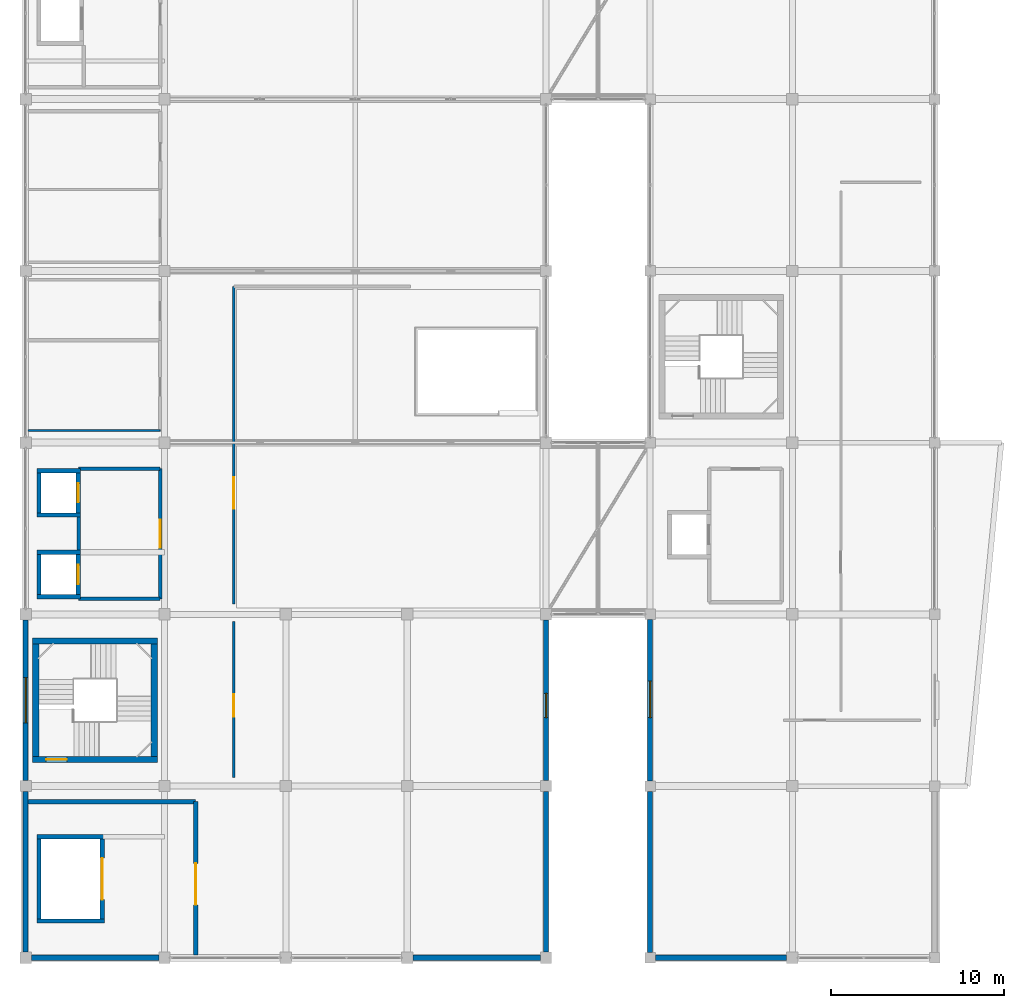
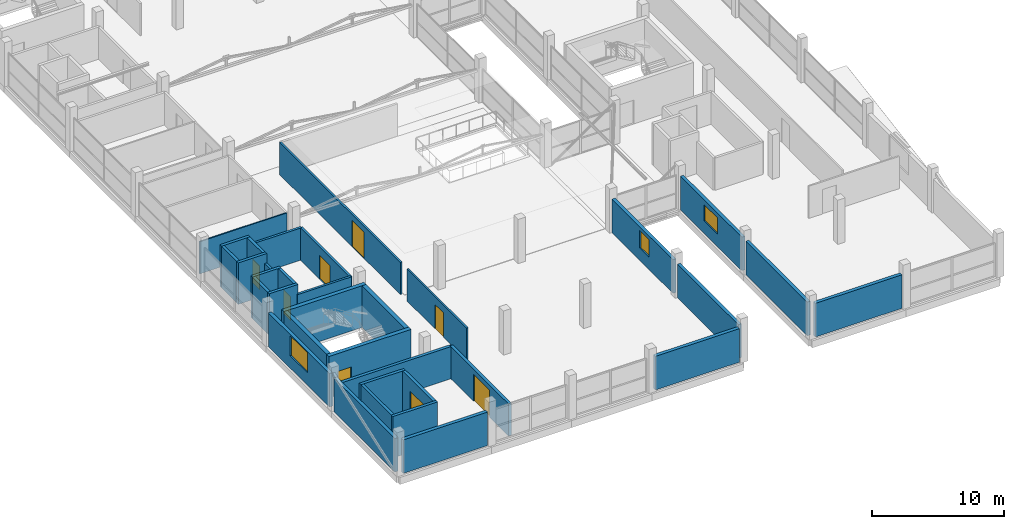
# One storey, part 56 of 66: 34 walls, 8 doors, 3 windows, 11 openings.
"""IFC4 building model written with IfcOpenShell, lengths in metres."""

from ifc_helpers import new_model, si_unit, direction, frame, frame_2d, origin, place, context, subcontext, project, spatial, rectangle, extrude, material, layer, layer_set, type_object, element, fill, save


model = new_model("IFC4")

# Units and contexts
model_context = context("Model", 3, precision=1e-05, world=origin(), true_north=direction((0.0, 1.0)))
body_context = subcontext(model_context, "Body", "Model", "MODEL_VIEW")
ifc_project = project(units=[si_unit("LENGTHUNIT", "METRE"), si_unit("AREAUNIT", "SQUARE_METRE"), si_unit("VOLUMEUNIT", "CUBIC_METRE"), si_unit("PLANEANGLEUNIT", "RADIAN"), si_unit("MASSUNIT", "GRAM", prefix="KILO")], contexts=[model_context])

# Site, building, storey
site_placement = place(None, origin())
site = spatial("IfcSite", under=ifc_project, at=site_placement, CompositionType="ELEMENT")
building_placement = place(site_placement, origin())
building = spatial("IfcBuilding", under=site, at=building_placement, Name="Sillaruma Civic Art Gallery", CompositionType="ELEMENT")
storey_placement = place(building_placement, frame((0.0, 0.0, 62.219970703125)))
storey = spatial("IfcBuildingStorey", under=building, at=storey_placement, Name="L12", CompositionType="ELEMENT", Elevation=62.219970703125)

# Wall, opening, door
ifc_material_1 = material(Name="Concrete H40 (40 MPa)", Category="concrete")
ifc_layer_1 = layer(ifc_material_1, 0.35009765625, Name="Concrete H40 (40 MPa)")
ifc_layer_set_1 = layer_set([ifc_layer_1], Name="Concrete H40 (40 MPa)")
wall_type_1 = type_object("IfcWallType", Name="WAL-CORE-350", PredefinedType="SHEAR", material=ifc_layer_set_1)
wall_1_placement = place(storey_placement, frame((62.409912109375, 31.235107421875, 0.0), z_axis=(0.0, 0.0, 1.0), x_axis=(1.0, 0.0, 0.0)))
wall_1 = element("IfcWall", 1, at=wall_1_placement, inside=storey, type_object=wall_type_1, Name="Stair Core Shear Wall W-CORE-350 (ST-03:L12:S)", PredefinedType="SHEAR", context=body_context, shape_type="SweptSolid", body=[
    extrude(rectangle(XDim=7.18017578125, YDim=0.35009765625, at=frame_2d((3.590087890625, 0.0))), origin(), (0.0, 0.0, 1.0), 3.85009765625),
])
opening_1_placement = place(wall_1_placement, frame((0.77001953125, 0.0, 0.0)))
opening_1 = element("IfcOpeningElement", 2, at=opening_1_placement, cuts=wall_1, Name="Opening D-STAIR", PredefinedType="OPENING", context=body_context, shape_type="SweptSolid", body=[
    extrude(rectangle(XDim=1.199951171875, YDim=2.199951171875, at=frame_2d((0.60009765625, 1.10009765625))), frame((0.0, 0.18505859375, 0.0), z_axis=(0.0, -1.0, 0.0), x_axis=(1.0, 0.0, 0.0)), (0.0, 0.0, 1.0), 0.3701171875),
])
ifc_material_2 = material(Name="Galvanised Steel ASTM A653 Gr.50", Category="steel")
door_type_1 = type_object("IfcDoorType", Name="DOR-STAIR-120", OperationType="NOTDEFINED", PredefinedType="DOOR", material=ifc_material_2)
door_1_placement = place(opening_1_placement, origin())
door_1 = element("IfcDoor", 3, at=door_1_placement, inside=storey, type_object=door_type_1, Name="Protected Stair Fire Door (ST-03:L12)", OperationType="SINGLE_SWING_RIGHT", OverallHeight=2.199951171875, OverallWidth=1.199951171875, PredefinedType="DOOR", context=body_context, shape_type="SweptSolid", body=[
    extrude(rectangle(XDim=1.199951171875, YDim=2.199951171875, at=frame_2d((0.60009765625, 1.10009765625))), frame((0.0, 0.02490234375, 0.0), z_axis=(0.0, -1.0, 0.0), x_axis=(1.0, 0.0, 0.0)), (0.0, 0.0, 1.0), 0.050048828125),
])
fill(opening_1, door_1)

# Walls
wall_2_placement = place(storey_placement, frame((62.409912109375, 38.06494140625, 0.0), z_axis=(0.0, 0.0, 1.0), x_axis=(1.0, 0.0, 0.0)))
element("IfcWall", 4, at=wall_2_placement, inside=storey, type_object=wall_type_1, Name="Stair Core Shear Wall W-CORE-350 (ST-03:L12:N)", PredefinedType="SHEAR", context=body_context, shape_type="SweptSolid", body=[
    extrude(rectangle(XDim=7.18017578125, YDim=0.35009765625, at=frame_2d((3.590087890625, 0.0))), origin(), (0.0, 0.0, 1.0), 3.85009765625),
])
for number, where, z_axis, x_axis, name in (
    (5, (62.5849609375, 31.409912109375, 0.0), (0.0, 0.0, 1.0), (0.0, 1.0, 0.0), "Stair Core Shear Wall W-CORE-350 (ST-03:L12:W)"),
    (6, (69.4150390625, 31.409912109375, 0.0), (0.0, 0.0, 1.0), (0.0, 1.0, 0.0), "Stair Core Shear Wall W-CORE-350 (ST-03:L12:E)"),
):
    element("IfcWall", number, at=place(storey_placement, frame(where, z_axis=z_axis, x_axis=x_axis)), inside=storey, type_object=wall_type_1, Name=name, PredefinedType="SHEAR", context=body_context, shape_type="SweptSolid", body=[
        extrude(rectangle(XDim=6.47998046875, YDim=0.35009765625, at=frame_2d((3.239990234375, 0.0))), origin(), (0.0, 0.0, 1.0), 3.85009765625),
    ])
ifc_material_3 = material(Name="Concrete H35 (35 MPa)", Category="concrete")
ifc_layer_2 = layer(ifc_material_3, 0.159912109375, Name="Concrete backup", Category="concrete")
ifc_material_4 = material(Name="Mineral Wool Thermal Insulation", Category="insulation")
ifc_layer_3 = layer(ifc_material_4, 0.090087890625, Name="Thermal insulation", Category="insulation")
ifc_material_5 = material(Name="Anodised Zinc-Aluminium Alloy", Category="aluminium")
ifc_layer_4 = layer(ifc_material_5, 0.030029296875, Name="Rainscreen finish", Category="aluminium")
ifc_layer_set_2 = layer_set([ifc_layer_2, ifc_layer_3, ifc_layer_4], Name="W-EXT-280")
wall_type_2 = type_object("IfcWallType", Name="WAL-EXT-280", PredefinedType="SOLIDWALL", material=ifc_layer_set_2)
wall_3_placement = place(storey_placement, frame((92.0, 20.125, 0.0), z_axis=(0.0, 0.0, 1.0), x_axis=(0.0, 1.0, 0.0)))
element("IfcWall", 7, at=wall_3_placement, inside=storey, type_object=wall_type_2, Name="Exterior Wall W-EXT-280 (EW-L12-WBE-1)", PredefinedType="SOLIDWALL", context=body_context, shape_type="SweptSolid", body=[
    extrude(rectangle(XDim=9.25, YDim=0.280029296875, at=frame_2d((4.625, 0.0))), origin(), (0.0, 0.0, 1.0), 3.10009765625),
])

# Wall, opening, window
wall_4_placement = place(storey_placement, frame((92.0, 30.02490234375, 0.0), z_axis=(0.0, 0.0, 1.0), x_axis=(0.0, 1.0, 0.0)))
wall_4 = element("IfcWall", 8, at=wall_4_placement, inside=storey, type_object=wall_type_2, Name="Exterior Wall W-EXT-280 (EW-L12-WBE-2)", PredefinedType="SOLIDWALL", context=body_context, shape_type="SweptSolid", body=[
    extrude(rectangle(XDim=9.25, YDim=0.280029296875, at=frame_2d((4.625, 0.0))), origin(), (0.0, 0.0, 1.0), 3.10009765625),
])
opening_2_placement = place(wall_4_placement, frame((3.625, 0.0, 1.14990234375)))
opening_2 = element("IfcOpeningElement", 9, at=opening_2_placement, cuts=wall_4, Name="Opening WN-06", PredefinedType="OPENING", context=body_context, shape_type="SweptSolid", body=[
    extrude(rectangle(XDim=1.39990234375, YDim=1.60009765625, at=frame_2d((0.699951171875, 0.800048828125))), frame((0.0, 0.14990234375, 0.0), z_axis=(0.0, -1.0, 0.0), x_axis=(1.0, 0.0, 0.0)), (0.0, 0.0, 1.0), 0.300048828125),
])
ifc_material_6 = material(Name="Thermally Broken Extruded Aluminium 6063-T6", Category="aluminium")
window_type_1 = type_object("IfcWindowType", Name="WIN-W06", PartitioningType="SINGLE_PANEL", PredefinedType="WINDOW", material=ifc_material_6)
window_1_placement = place(opening_2_placement, origin())
window_1 = element("IfcWindow", 10, at=window_1_placement, inside=storey, type_object=window_type_1, Name="Window WN-06 (EW-L12-WBE-2-1)", OverallHeight=1.60009765625, OverallWidth=1.39990234375, PartitioningType="SINGLE_PANEL", PredefinedType="WINDOW", context=body_context, shape_type="SweptSolid", body=[
    extrude(rectangle(XDim=1.39990234375, YDim=1.60009765625, at=frame_2d((0.699951171875, 0.800048828125))), frame((0.0, 0.030029296875, 0.0), z_axis=(0.0, -1.0, 0.0), x_axis=(1.0, 0.0, 0.0)), (0.0, 0.0, 1.0), 0.06005859375),
])
fill(opening_2, window_1)

# Wall
wall_5_placement = place(storey_placement, frame((98.0, 20.10009765625, 0.0), z_axis=(0.0, 0.0, 1.0), x_axis=(0.0, 1.0, 0.0)))
element("IfcWall", 11, at=wall_5_placement, inside=storey, type_object=wall_type_2, Name="Exterior Wall W-EXT-280 (EW-L12-EBW-1)", PredefinedType="SOLIDWALL", context=body_context, shape_type="SweptSolid", body=[
    extrude(rectangle(XDim=9.2998046875, YDim=0.280029296875, at=frame_2d((4.64990234375, 0.0))), origin(), (0.0, 0.0, 1.0), 3.10009765625),
])

# Wall, opening, window
wall_6_placement = place(storey_placement, frame((98.0, 30.0, 0.0), z_axis=(0.0, 0.0, 1.0), x_axis=(0.0, 1.0, 0.0)))
wall_6 = element("IfcWall", 12, at=wall_6_placement, inside=storey, type_object=wall_type_2, Name="Exterior Wall W-EXT-280 (EW-L12-EBW-2)", PredefinedType="SOLIDWALL", context=body_context, shape_type="SweptSolid", body=[
    extrude(rectangle(XDim=9.300048828125, YDim=0.280029296875, at=frame_2d((4.64990234375, 0.0))), origin(), (0.0, 0.0, 1.0), 3.10009765625),
])
opening_3_placement = place(wall_6_placement, frame((3.64990234375, 0.0, 1.14990234375)))
opening_3 = element("IfcOpeningElement", 13, at=opening_3_placement, cuts=wall_6, Name="Opening WN-13", PredefinedType="OPENING", context=body_context, shape_type="SweptSolid", body=[
    extrude(rectangle(XDim=2.10009765625, YDim=1.5, at=frame_2d((1.050048828125, 0.75))), frame((0.0, 0.14990234375, 0.0), z_axis=(0.0, -1.0, 0.0), x_axis=(1.0, 0.0, 0.0)), (0.0, 0.0, 1.0), 0.300048828125),
])
window_type_2 = type_object("IfcWindowType", Name="WIN-W13", PartitioningType="SINGLE_PANEL", PredefinedType="WINDOW", material=ifc_material_6)
window_2_placement = place(opening_3_placement, origin())
window_2 = element("IfcWindow", 14, at=window_2_placement, inside=storey, type_object=window_type_2, Name="Window WN-13 (EW-L12-EBW-2-1)", OverallHeight=1.5, OverallWidth=2.10009765625, PartitioningType="SINGLE_PANEL", PredefinedType="WINDOW", context=body_context, shape_type="SweptSolid", body=[
    extrude(rectangle(XDim=2.10009765625, YDim=1.5, at=frame_2d((1.050048828125, 0.75))), frame((0.0, 0.030029296875, 0.0), z_axis=(0.0, -1.0, 0.0), x_axis=(1.0, 0.0, 0.0)), (0.0, 0.0, 1.0), 0.06005859375),
])
fill(opening_3, window_2)

# Wall
ifc_layer_5 = layer(ifc_material_3, 0.169921875, Name="Concrete backup", Category="concrete")
ifc_layer_6 = layer(ifc_material_4, 0.090087890625, Name="Thermal insulation", Category="insulation")
ifc_layer_7 = layer(ifc_material_5, 0.030029296875, Name="Rainscreen finish", Category="aluminium")
ifc_layer_set_3 = layer_set([ifc_layer_5, ifc_layer_6, ifc_layer_7], Name="W-EXT-290")
wall_type_3 = type_object("IfcWallType", Name="WAL-EXT-290", PredefinedType="SOLIDWALL", material=ifc_layer_set_3)
wall_7_placement = place(storey_placement, frame((62.0, 20.125, 0.0), z_axis=(0.0, 0.0, 1.0), x_axis=(0.0, 1.0, 0.0)))
element("IfcWall", 15, at=wall_7_placement, inside=storey, type_object=wall_type_3, Name="Exterior Wall W-EXT-290 (EW-L12-WBW-1)", PredefinedType="SOLIDWALL", context=body_context, shape_type="SweptSolid", body=[
    extrude(rectangle(XDim=9.25, YDim=0.2900390625, at=frame_2d((4.625, 0.0))), origin(), (0.0, 0.0, 1.0), 3.10009765625),
])

# Wall, opening, window
ifc_material_7 = material(Name="Precast Concrete H35 (35 MPa)", Category="concrete")
ifc_layer_8 = layer(ifc_material_7, 0.179931640625, Name="Precast backup", Category="concrete")
ifc_layer_9 = layer(ifc_material_4, 0.090087890625, Name="Thermal insulation", Category="insulation")
ifc_material_8 = material(Name="Comanche Granitic Ashlar Stone", Category="masonry")
ifc_layer_10 = layer(ifc_material_8, 0.030029296875, Name="Rainscreen cladding", Category="masonry")
ifc_layer_set_4 = layer_set([ifc_layer_8, ifc_layer_9, ifc_layer_10], Name="W-EXT-300")
wall_type_4 = type_object("IfcWallType", Name="WAL-EXT-300", PredefinedType="SOLIDWALL", material=ifc_layer_set_4)
wall_8_placement = place(storey_placement, frame((62.0, 30.02490234375, 0.0), z_axis=(0.0, 0.0, 1.0), x_axis=(0.0, 1.0, 0.0)))
wall_8 = element("IfcWall", 16, at=wall_8_placement, inside=storey, type_object=wall_type_4, Name="Exterior Wall W-EXT-300 (EW-L12-WBW-2)", PredefinedType="SOLIDWALL", context=body_context, shape_type="SweptSolid", body=[
    extrude(rectangle(XDim=9.25, YDim=0.300048828125, at=frame_2d((4.625, 0.0))), origin(), (0.0, 0.0, 1.0), 3.10009765625),
])
opening_4_placement = place(wall_8_placement, frame((3.324951171875, 0.0, 1.14990234375)))
opening_4 = element("IfcOpeningElement", 17, at=opening_4_placement, cuts=wall_8, Name="Opening WN-08", PredefinedType="OPENING", context=body_context, shape_type="SweptSolid", body=[
    extrude(rectangle(XDim=2.60009765625, YDim=1.85009765625, at=frame_2d((1.300048828125, 0.925048828125))), frame((0.0, 0.159912109375, 0.0), z_axis=(0.0, -1.0, 0.0), x_axis=(1.0, 0.0, 0.0)), (0.0, 0.0, 1.0), 0.320068359375),
])
window_type_3 = type_object("IfcWindowType", Name="WIN-W08", PartitioningType="SINGLE_PANEL", PredefinedType="WINDOW", material=ifc_material_6)
window_3_placement = place(opening_4_placement, origin())
window_3 = element("IfcWindow", 18, at=window_3_placement, inside=storey, type_object=window_type_3, Name="Window WN-08 (EW-L12-WBW-2-1)", OverallHeight=1.85009765625, OverallWidth=2.60009765625, PartitioningType="SINGLE_PANEL", PredefinedType="WINDOW", context=body_context, shape_type="SweptSolid", body=[
    extrude(rectangle(XDim=2.60009765625, YDim=1.85009765625, at=frame_2d((1.300048828125, 0.925048828125))), frame((0.0, 0.030029296875, 0.0), z_axis=(0.0, -1.0, 0.0), x_axis=(1.0, 0.0, 0.0)), (0.0, 0.0, 1.0), 0.06005859375),
])
fill(opening_4, window_3)

# Walls
for number, where, z_axis, x_axis, name in (
    (19, (62.324951171875, 19.800048828125, 0.0), (0.0, 0.0, 1.0), (1.0, 0.0, 0.0), "Exterior Wall W-EXT-300 (EW-L12-WBS-1)"),
    (20, (84.324951171875, 19.800048828125, 0.0), (0.0, 0.0, 1.0), (1.0, 0.0, 0.0), "Exterior Wall W-EXT-300 (EW-L12-WBS-4)"),
):
    element("IfcWall", number, at=place(storey_placement, frame(where, z_axis=z_axis, x_axis=x_axis)), inside=storey, type_object=wall_type_4, Name=name, PredefinedType="SOLIDWALL", context=body_context, shape_type="SweptSolid", body=[
        extrude(rectangle(XDim=7.35009765625, YDim=0.300048828125, at=frame_2d((3.675048828125, 0.0))), origin(), (0.0, 0.0, 1.0), 3.10009765625),
    ])
wall_9_placement = place(storey_placement, frame((98.300048828125, 19.800048828125, 0.0), z_axis=(0.0, 0.0, 1.0), x_axis=(1.0, 0.0, 0.0)))
element("IfcWall", 21, at=wall_9_placement, inside=storey, type_object=wall_type_4, Name="Exterior Wall W-EXT-300 (EW-L12-EBS-1)", PredefinedType="SOLIDWALL", context=body_context, shape_type="SweptSolid", body=[
    extrude(rectangle(XDim=7.574951171875, YDim=0.300048828125, at=frame_2d((3.78759765625, 0.0))), origin(), (0.0, 0.0, 1.0), 3.10009765625),
])
ifc_material_9 = material(Name="Concrete Masonry Unit Grade M15", Category="masonry")
ifc_layer_11 = layer(ifc_material_9, 0.199951171875, Name="Concrete Masonry Unit Grade M15")
ifc_layer_set_5 = layer_set([ifc_layer_11], Name="Concrete Masonry Unit Grade M15")
wall_type_5 = type_object("IfcWallType", Name="WAL-LOBBY-200", PredefinedType="SOLIDWALL", material=ifc_layer_set_5)
for number, where, z_axis, x_axis, name in (
    (22, (65.050048828125, 40.5, 0.0), (0.0, 0.0, 1.0), (1.0, 0.0, 0.0), "Interior Wall W-LOBBY-200 (L12-LLW)"),
    (23, (65.050048828125, 48.0, 0.0), (0.0, 0.0, 1.0), (1.0, 0.0, 0.0), "Interior Wall W-LOBBY-200 (L12-LLW)"),
):
    element("IfcWall", number, at=place(storey_placement, frame(where, z_axis=z_axis, x_axis=x_axis)), inside=storey, type_object=wall_type_5, Name=name, PredefinedType="SOLIDWALL", context=body_context, shape_type="SweptSolid", body=[
        extrude(rectangle(XDim=4.699951171875, YDim=0.199951171875, at=frame_2d((2.35009765625, 0.0))), origin(), (0.0, 0.0, 1.0), 2.969970703125),
    ])
wall_10_placement = place(storey_placement, frame((65.050048828125, 43.300048828125, 0.0), z_axis=(0.0, 0.0, 1.0), x_axis=(0.0, 1.0, 0.0)))
element("IfcWall", 24, at=wall_10_placement, inside=storey, type_object=wall_type_5, Name="Interior Wall W-LOBBY-200 (L12-LLW)", PredefinedType="SOLIDWALL", context=body_context, shape_type="SweptSolid", body=[
    extrude(rectangle(XDim=1.89990234375, YDim=0.199951171875, at=frame_2d((0.949951171875, 0.0))), origin(), (0.0, 0.0, 1.0), 2.969970703125),
])

# Wall, opening, door
wall_11_placement = place(storey_placement, frame((69.75, 40.5, 0.0), z_axis=(0.0, 0.0, 1.0), x_axis=(0.0, 1.0, 0.0)))
wall_11 = element("IfcWall", 25, at=wall_11_placement, inside=storey, type_object=wall_type_5, Name="Interior Wall W-LOBBY-200 (L12-LLW)", PredefinedType="SOLIDWALL", context=body_context, shape_type="SweptSolid", body=[
    extrude(rectangle(XDim=7.5, YDim=0.199951171875, at=frame_2d((3.75, 0.0))), origin(), (0.0, 0.0, 1.0), 2.969970703125),
])
opening_5_placement = place(wall_11_placement, frame((2.949951171875, 0.0, 0.0)))
opening_5 = element("IfcOpeningElement", 26, at=opening_5_placement, cuts=wall_11, Name="Opening D-LOBBY", PredefinedType="OPENING", context=body_context, shape_type="SweptSolid", body=[
    extrude(rectangle(XDim=1.60009765625, YDim=2.199951171875, at=frame_2d((0.800048828125, 1.10009765625))), frame((0.0, 0.10986328125, 0.0), z_axis=(0.0, -1.0, 0.0), x_axis=(1.0, 0.0, 0.0)), (0.0, 0.0, 1.0), 0.219970703125),
])
door_type_2 = type_object("IfcDoorType", Name="DOR-LOBBY-160", OperationType="NOTDEFINED", PredefinedType="DOOR", material=ifc_material_6)
door_2_placement = place(opening_5_placement, origin())
door_2 = element("IfcDoor", 27, at=door_2_placement, inside=storey, type_object=door_type_2, Name="West Lift Lobby Door (D-LOBBY)", OperationType="DOUBLE_DOOR_SINGLE_SWING", OverallHeight=2.199951171875, OverallWidth=1.60009765625, PredefinedType="DOOR", context=body_context, shape_type="SweptSolid", body=[
    extrude(rectangle(XDim=1.60009765625, YDim=2.199951171875, at=frame_2d((0.800048828125, 1.10009765625))), frame((0.0, 0.02490234375, 0.0), z_axis=(0.0, -1.0, 0.0), x_axis=(1.0, 0.0, 0.0)), (0.0, 0.0, 1.0), 0.050048828125),
])
fill(opening_5, door_2)

# Wall
ifc_material_10 = material(Name="Gypsum Acoustic Board", Category="gypsum")
ifc_layer_12 = layer(ifc_material_10, 0.02490234375, Name="Finish board", Category="gypsum")
ifc_layer_13 = layer(ifc_material_4, 0.06005859375, Name="Acoustic core", Category="insulation")
ifc_material_11 = material(Name="Andean Oak Timber", Category="wood")
ifc_layer_14 = layer(ifc_material_11, 0.02490234375, Name="Gallery lining", Category="wood")
ifc_layer_set_6 = layer_set([ifc_layer_12, ifc_layer_13, ifc_layer_14], Name="W-PT-110")
wall_type_6 = type_object("IfcWallType", Name="WAL-PART-110", PredefinedType="PARTITIONING", material=ifc_layer_set_6)
wall_12_placement = place(storey_placement, frame((62.14990234375, 50.199951171875, 0.0), z_axis=(0.0, 0.0, 1.0), x_axis=(1.0, 0.0, 0.0)))
element("IfcWall", 28, at=wall_12_placement, inside=storey, type_object=wall_type_6, Name="Interior Wall W-PT-110 (L12-WC1)", PredefinedType="PARTITIONING", context=body_context, shape_type="SweptSolid", body=[
    extrude(rectangle(XDim=7.60009765625, YDim=0.110107421875, at=frame_2d((3.800048828125, 0.0))), origin(), (0.0, 0.0, 1.0), 2.969970703125),
])

# Wall, opening, door
ifc_layer_15 = layer(ifc_material_10, 0.02490234375, Name="Finish board", Category="gypsum")
ifc_layer_16 = layer(ifc_material_4, 0.090087890625, Name="Acoustic core", Category="insulation")
ifc_layer_17 = layer(ifc_material_11, 0.02490234375, Name="Gallery lining", Category="wood")
ifc_layer_set_7 = layer_set([ifc_layer_15, ifc_layer_16, ifc_layer_17], Name="W-PT-140")
wall_type_7 = type_object("IfcWallType", Name="WAL-PART-140", PredefinedType="PARTITIONING", material=ifc_layer_set_7)
wall_13_placement = place(storey_placement, frame((74.0, 30.199951171875, 0.0), z_axis=(0.0, 0.0, 1.0), x_axis=(0.0, 1.0, 0.0)))
wall_13 = element("IfcWall", 29, at=wall_13_placement, inside=storey, type_object=wall_type_7, Name="Interior Wall W-PT-140 (L12-STD12S)", PredefinedType="PARTITIONING", context=body_context, shape_type="SweptSolid", body=[
    extrude(rectangle(XDim=9.0, YDim=0.139892578125, at=frame_2d((4.5, 0.0))), origin(), (0.0, 0.0, 1.0), 2.969970703125),
])
opening_6_placement = place(wall_13_placement, frame((3.5, 0.0, 0.0)))
opening_6 = element("IfcOpeningElement", 30, at=opening_6_placement, cuts=wall_13, Name="Opening D-STD13", PredefinedType="OPENING", context=body_context, shape_type="SweptSolid", body=[
    extrude(rectangle(XDim=1.300048828125, YDim=2.25, at=frame_2d((0.64990234375, 1.125))), frame((0.0, 0.079833984375, 0.0), z_axis=(0.0, -1.0, 0.0), x_axis=(1.0, 0.0, 0.0)), (0.0, 0.0, 1.0), 0.159912109375),
])
door_type_3 = type_object("IfcDoorType", Name="DOR-STD-130", OperationType="NOTDEFINED", PredefinedType="DOOR", material=ifc_material_11)
door_3_placement = place(opening_6_placement, origin())
door_3 = element("IfcDoor", 31, at=door_3_placement, inside=storey, type_object=door_type_3, Name="West Wing South Artist Studio (L12) Door (D-STD13)", OperationType="SINGLE_SWING_RIGHT", OverallHeight=2.25, OverallWidth=1.300048828125, PredefinedType="DOOR", context=body_context, shape_type="SweptSolid", body=[
    extrude(rectangle(XDim=1.300048828125, YDim=2.25, at=frame_2d((0.64990234375, 1.125))), frame((0.0, 0.02490234375, 0.0), z_axis=(0.0, -1.0, 0.0), x_axis=(1.0, 0.0, 0.0)), (0.0, 0.0, 1.0), 0.050048828125),
])
fill(opening_6, door_3)

ifc_layer_18 = layer(ifc_material_10, 0.02490234375, Name="Finish board", Category="gypsum")
ifc_layer_19 = layer(ifc_material_4, 0.114990234375, Name="Acoustic core", Category="insulation")
ifc_layer_20 = layer(ifc_material_11, 0.02490234375, Name="Gallery lining", Category="wood")
ifc_layer_set_8 = layer_set([ifc_layer_18, ifc_layer_19, ifc_layer_20], Name="W-PT-165")
wall_type_8 = type_object("IfcWallType", Name="WAL-PART-165", PredefinedType="PARTITIONING", material=ifc_layer_set_8)
wall_14_placement = place(storey_placement, frame((74.0, 40.199951171875, 0.0), z_axis=(0.0, 0.0, 1.0), x_axis=(0.0, 1.0, 0.0)))
wall_14 = element("IfcWall", 32, at=wall_14_placement, inside=storey, type_object=wall_type_8, Name="Interior Wall W-PT-165 (L12-GAL12A)", PredefinedType="PARTITIONING", context=body_context, shape_type="SweptSolid", body=[
    extrude(rectangle(XDim=18.300048828125, YDim=0.1650390625, at=frame_2d((9.14990234375, 0.0))), origin(), (0.0, 0.0, 1.0), 2.969970703125),
])
opening_7_placement = place(wall_14_placement, frame((5.5, 0.0, 0.0)))
opening_7 = element("IfcOpeningElement", 33, at=opening_7_placement, cuts=wall_14, Name="Opening D-GAL18", PredefinedType="OPENING", context=body_context, shape_type="SweptSolid", body=[
    extrude(rectangle(XDim=1.800048828125, YDim=2.449951171875, at=frame_2d((0.89990234375, 1.22509765625))), frame((0.0, 0.092529296875, 0.0), z_axis=(0.0, -1.0, 0.0), x_axis=(1.0, 0.0, 0.0)), (0.0, 0.0, 1.0), 0.18505859375),
])
door_type_4 = type_object("IfcDoorType", Name="DOR-GAL-180", OperationType="NOTDEFINED", PredefinedType="DOOR", material=ifc_material_11)
door_4_placement = place(opening_7_placement, origin())
door_4 = element("IfcDoor", 34, at=door_4_placement, inside=storey, type_object=door_type_4, Name="Upper Paired Wing Gallery Door (D-GAL18)", OperationType="DOUBLE_DOOR_SINGLE_SWING", OverallHeight=2.449951171875, OverallWidth=1.800048828125, PredefinedType="DOOR", context=body_context, shape_type="SweptSolid", body=[
    extrude(rectangle(XDim=1.800048828125, YDim=2.449951171875, at=frame_2d((0.89990234375, 1.22509765625))), frame((0.0, 0.02490234375, 0.0), z_axis=(0.0, -1.0, 0.0), x_axis=(1.0, 0.0, 0.0)), (0.0, 0.0, 1.0), 0.050048828125),
])
fill(opening_7, door_4)

# Walls
ifc_layer_21 = layer(ifc_material_1, 0.25, Name="Concrete H40 (40 MPa)")
ifc_layer_set_9 = layer_set([ifc_layer_21], Name="Concrete H40 (40 MPa)")
wall_type_9 = type_object("IfcWallType", Name="WAL-SHAFT-250", PredefinedType="SOLIDWALL", material=ifc_layer_set_9)
for number, where, z_axis, x_axis, name in (
    (35, (62.64990234375, 40.625, 0.0), (0.0, 0.0, 1.0), (1.0, 0.0, 0.0), "Lift Shaft Wall W-SHAFT-250 (PL-01:L12:S)"),
    (36, (62.64990234375, 43.175048828125, 0.0), (0.0, 0.0, 1.0), (1.0, 0.0, 0.0), "Lift Shaft Wall W-SHAFT-250 (PL-01:L12:N)"),
):
    element("IfcWall", number, at=place(storey_placement, frame(where, z_axis=z_axis, x_axis=x_axis)), inside=storey, type_object=wall_type_9, Name=name, PredefinedType="SOLIDWALL", context=body_context, shape_type="SweptSolid", body=[
        extrude(rectangle(XDim=2.5, YDim=0.25, at=frame_2d((1.25, 0.0))), origin(), (0.0, 0.0, 1.0), 3.830078125),
    ])
wall_15_placement = place(storey_placement, frame((62.77490234375, 40.75, 0.0), z_axis=(0.0, 0.0, 1.0), x_axis=(0.0, 1.0, 0.0)))
element("IfcWall", 37, at=wall_15_placement, inside=storey, type_object=wall_type_9, Name="Lift Shaft Wall W-SHAFT-250 (PL-01:L12:W)", PredefinedType="SOLIDWALL", context=body_context, shape_type="SweptSolid", body=[
    extrude(rectangle(XDim=2.300048828125, YDim=0.25, at=frame_2d((1.14990234375, 0.0))), origin(), (0.0, 0.0, 1.0), 3.830078125),
])

# Wall, opening, door
wall_16_placement = place(storey_placement, frame((65.02490234375, 40.75, 0.0), z_axis=(0.0, 0.0, 1.0), x_axis=(0.0, 1.0, 0.0)))
wall_16 = element("IfcWall", 38, at=wall_16_placement, inside=storey, type_object=wall_type_9, Name="Lift Shaft Wall W-SHAFT-250 (PL-01:L12:E)", PredefinedType="SOLIDWALL", context=body_context, shape_type="SweptSolid", body=[
    extrude(rectangle(XDim=2.300048828125, YDim=0.25, at=frame_2d((1.14990234375, 0.0))), origin(), (0.0, 0.0, 1.0), 3.830078125),
])
opening_8_placement = place(wall_16_placement, frame((0.60009765625, 0.0, 0.0)))
opening_8 = element("IfcOpeningElement", 39, at=opening_8_placement, cuts=wall_16, Name="Opening LD-01", PredefinedType="OPENING", context=body_context, shape_type="SweptSolid", body=[
    extrude(rectangle(XDim=1.10009765625, YDim=2.199951171875, at=frame_2d((0.550048828125, 1.10009765625))), frame((0.0, 0.135009765625, 0.0), z_axis=(0.0, -1.0, 0.0), x_axis=(1.0, 0.0, 0.0)), (0.0, 0.0, 1.0), 0.27001953125),
])
door_type_5 = type_object("IfcDoorType", Name="DOR-LD-01", OperationType="NOTDEFINED", PredefinedType="DOOR", material=ifc_material_2)
door_5_placement = place(opening_8_placement, origin())
door_5 = element("IfcDoor", 40, at=door_5_placement, inside=storey, type_object=door_type_5, Name="Lift Sliding Landing Door LD-01 (PL-01:L12)", OperationType="DOUBLE_DOOR_SLIDING", OverallHeight=2.199951171875, OverallWidth=1.10009765625, PredefinedType="DOOR", context=body_context, shape_type="SweptSolid", body=[
    extrude(rectangle(XDim=1.10009765625, YDim=2.199951171875, at=frame_2d((0.550048828125, 1.10009765625))), frame((0.0, 0.02490234375, 0.0), z_axis=(0.0, -1.0, 0.0), x_axis=(1.0, 0.0, 0.0)), (0.0, 0.0, 1.0), 0.050048828125),
])
fill(opening_8, door_5)

# Walls
for number, where, z_axis, x_axis, name in (
    (41, (62.64990234375, 45.324951171875, 0.0), (0.0, 0.0, 1.0), (1.0, 0.0, 0.0), "Lift Shaft Wall W-SHAFT-250 (PL-02:L12:S)"),
    (42, (62.64990234375, 47.875, 0.0), (0.0, 0.0, 1.0), (1.0, 0.0, 0.0), "Lift Shaft Wall W-SHAFT-250 (PL-02:L12:N)"),
):
    element("IfcWall", number, at=place(storey_placement, frame(where, z_axis=z_axis, x_axis=x_axis)), inside=storey, type_object=wall_type_9, Name=name, PredefinedType="SOLIDWALL", context=body_context, shape_type="SweptSolid", body=[
        extrude(rectangle(XDim=2.5, YDim=0.25, at=frame_2d((1.25, 0.0))), origin(), (0.0, 0.0, 1.0), 3.830078125),
    ])
wall_17_placement = place(storey_placement, frame((62.77490234375, 45.449951171875, 0.0), z_axis=(0.0, 0.0, 1.0), x_axis=(0.0, 1.0, 0.0)))
element("IfcWall", 43, at=wall_17_placement, inside=storey, type_object=wall_type_9, Name="Lift Shaft Wall W-SHAFT-250 (PL-02:L12:W)", PredefinedType="SOLIDWALL", context=body_context, shape_type="SweptSolid", body=[
    extrude(rectangle(XDim=2.300048828125, YDim=0.25, at=frame_2d((1.14990234375, 0.0))), origin(), (0.0, 0.0, 1.0), 3.830078125),
])

# Wall, opening, door
wall_18_placement = place(storey_placement, frame((65.02490234375, 45.449951171875, 0.0), z_axis=(0.0, 0.0, 1.0), x_axis=(0.0, 1.0, 0.0)))
wall_18 = element("IfcWall", 44, at=wall_18_placement, inside=storey, type_object=wall_type_9, Name="Lift Shaft Wall W-SHAFT-250 (PL-02:L12:E)", PredefinedType="SOLIDWALL", context=body_context, shape_type="SweptSolid", body=[
    extrude(rectangle(XDim=2.300048828125, YDim=0.25, at=frame_2d((1.14990234375, 0.0))), origin(), (0.0, 0.0, 1.0), 3.830078125),
])
opening_9_placement = place(wall_18_placement, frame((0.60009765625, 0.0, 0.0)))
opening_9 = element("IfcOpeningElement", 45, at=opening_9_placement, cuts=wall_18, Name="Opening LD-01", PredefinedType="OPENING", context=body_context, shape_type="SweptSolid", body=[
    extrude(rectangle(XDim=1.10009765625, YDim=2.199951171875, at=frame_2d((0.550048828125, 1.10009765625))), frame((0.0, 0.135009765625, 0.0), z_axis=(0.0, -1.0, 0.0), x_axis=(1.0, 0.0, 0.0)), (0.0, 0.0, 1.0), 0.27001953125),
])
door_6_placement = place(opening_9_placement, origin())
door_6 = element("IfcDoor", 46, at=door_6_placement, inside=storey, type_object=door_type_5, Name="Lift Sliding Landing Door LD-01 (PL-02:L12)", OperationType="DOUBLE_DOOR_SLIDING", OverallHeight=2.199951171875, OverallWidth=1.10009765625, PredefinedType="DOOR", context=body_context, shape_type="SweptSolid", body=[
    extrude(rectangle(XDim=1.10009765625, YDim=2.199951171875, at=frame_2d((0.550048828125, 1.10009765625))), frame((0.0, 0.02490234375, 0.0), z_axis=(0.0, -1.0, 0.0), x_axis=(1.0, 0.0, 0.0)), (0.0, 0.0, 1.0), 0.050048828125),
])
fill(opening_9, door_6)

# Walls
for number, where, z_axis, x_axis, name in (
    (47, (62.64990234375, 21.925048828125, 0.0), (0.0, 0.0, 1.0), (1.0, 0.0, 0.0), "Lift Shaft Wall W-SHAFT-250 (GL-01:L12:S)"),
    (48, (62.64990234375, 26.77490234375, 0.0), (0.0, 0.0, 1.0), (1.0, 0.0, 0.0), "Lift Shaft Wall W-SHAFT-250 (GL-01:L12:N)"),
):
    element("IfcWall", number, at=place(storey_placement, frame(where, z_axis=z_axis, x_axis=x_axis)), inside=storey, type_object=wall_type_9, Name=name, PredefinedType="SOLIDWALL", context=body_context, shape_type="SweptSolid", body=[
        extrude(rectangle(XDim=3.900146484375, YDim=0.25, at=frame_2d((1.9501953125, 0.0))), origin(), (0.0, 0.0, 1.0), 3.830078125),
    ])
wall_19_placement = place(storey_placement, frame((62.77490234375, 22.050048828125, 0.0), z_axis=(0.0, 0.0, 1.0), x_axis=(0.0, 1.0, 0.0)))
element("IfcWall", 49, at=wall_19_placement, inside=storey, type_object=wall_type_9, Name="Lift Shaft Wall W-SHAFT-250 (GL-01:L12:W)", PredefinedType="SOLIDWALL", context=body_context, shape_type="SweptSolid", body=[
    extrude(rectangle(XDim=4.599853515625, YDim=0.25, at=frame_2d((2.2998046875, 0.0))), origin(), (0.0, 0.0, 1.0), 3.830078125),
])

# Wall, opening, door
wall_20_placement = place(storey_placement, frame((66.425048828125, 22.050048828125, 0.0), z_axis=(0.0, 0.0, 1.0), x_axis=(0.0, 1.0, 0.0)))
wall_20 = element("IfcWall", 50, at=wall_20_placement, inside=storey, type_object=wall_type_9, Name="Lift Shaft Wall W-SHAFT-250 (GL-01:L12:E)", PredefinedType="SOLIDWALL", context=body_context, shape_type="SweptSolid", body=[
    extrude(rectangle(XDim=4.599853515625, YDim=0.25, at=frame_2d((2.2998046875, 0.0))), origin(), (0.0, 0.0, 1.0), 3.830078125),
])
opening_10_placement = place(wall_20_placement, frame((1.10009765625, 0.0, 0.0)))
opening_10 = element("IfcOpeningElement", 51, at=opening_10_placement, cuts=wall_20, Name="Opening LD-03", PredefinedType="OPENING", context=body_context, shape_type="SweptSolid", body=[
    extrude(rectangle(XDim=2.39990234375, YDim=2.64990234375, at=frame_2d((1.199951171875, 1.324951171875))), frame((0.0, 0.135009765625, 0.0), z_axis=(0.0, -1.0, 0.0), x_axis=(1.0, 0.0, 0.0)), (0.0, 0.0, 1.0), 0.27001953125),
])
door_type_6 = type_object("IfcDoorType", Name="DOR-LD-03", OperationType="NOTDEFINED", PredefinedType="DOOR", material=ifc_material_2)
door_7_placement = place(opening_10_placement, origin())
door_7 = element("IfcDoor", 52, at=door_7_placement, inside=storey, type_object=door_type_6, Name="Lift Sliding Landing Door LD-03 (GL-01:L12)", OperationType="DOUBLE_DOOR_SLIDING", OverallHeight=2.64990234375, OverallWidth=2.39990234375, PredefinedType="DOOR", context=body_context, shape_type="SweptSolid", body=[
    extrude(rectangle(XDim=2.39990234375, YDim=2.64990234375, at=frame_2d((1.199951171875, 1.324951171875))), frame((0.0, 0.02490234375, 0.0), z_axis=(0.0, -1.0, 0.0), x_axis=(1.0, 0.0, 0.0)), (0.0, 0.0, 1.0), 0.050048828125),
])
fill(opening_10, door_7)

# Wall
ifc_layer_22 = layer(ifc_material_9, 0.2548828125, Name="Concrete Masonry Unit Grade M15")
ifc_layer_set_10 = layer_set([ifc_layer_22], Name="Concrete Masonry Unit Grade M15")
wall_type_10 = type_object("IfcWallType", Name="WAL-STORE-250", PredefinedType="SOLIDWALL", material=ifc_layer_set_10)
wall_21_placement = place(storey_placement, frame((62.14990234375, 28.800048828125, 0.0), z_axis=(0.0, 0.0, 1.0), x_axis=(1.0, 0.0, 0.0)))
element("IfcWall", 53, at=wall_21_placement, inside=storey, type_object=wall_type_10, Name="Interior Wall W-STORE-250 (L12-AIR)", PredefinedType="SOLIDWALL", context=body_context, shape_type="SweptSolid", body=[
    extrude(rectangle(XDim=9.650146484375, YDim=0.2548828125, at=frame_2d((4.8251953125, 0.0))), origin(), (0.0, 0.0, 1.0), 2.969970703125),
])

# Wall, opening, door
wall_22_placement = place(storey_placement, frame((71.800048828125, 19.949951171875, 0.0), z_axis=(0.0, 0.0, 1.0), x_axis=(0.0, 1.0, 0.0)))
wall_22 = element("IfcWall", 54, at=wall_22_placement, inside=storey, type_object=wall_type_10, Name="Interior Wall W-STORE-250 (L12-AIR)", PredefinedType="SOLIDWALL", context=body_context, shape_type="SweptSolid", body=[
    extrude(rectangle(XDim=8.85009765625, YDim=0.2548828125, at=frame_2d((4.425048828125, 0.0))), origin(), (0.0, 0.0, 1.0), 2.969970703125),
])
opening_11_placement = place(wall_22_placement, frame((2.89990234375, 0.0, 0.0)))
opening_11 = element("IfcOpeningElement", 55, at=opening_11_placement, cuts=wall_22, Name="Opening D-STR24", PredefinedType="OPENING", context=body_context, shape_type="SweptSolid", body=[
    extrude(rectangle(XDim=2.39990234375, YDim=2.5, at=frame_2d((1.199951171875, 1.25))), frame((0.0, 0.137451171875, 0.0), z_axis=(0.0, -1.0, 0.0), x_axis=(1.0, 0.0, 0.0)), (0.0, 0.0, 1.0), 0.27490234375),
])
door_type_7 = type_object("IfcDoorType", Name="DOR-STORE-240", OperationType="NOTDEFINED", PredefinedType="DOOR", material=ifc_material_2)
door_8_placement = place(opening_11_placement, origin())
door_8 = element("IfcDoor", 56, at=door_8_placement, inside=storey, type_object=door_type_7, Name="Crate Airlock Door (D-STR24)", OperationType="DOUBLE_DOOR_SINGLE_SWING", OverallHeight=2.5, OverallWidth=2.39990234375, PredefinedType="DOOR", context=body_context, shape_type="SweptSolid", body=[
    extrude(rectangle(XDim=2.39990234375, YDim=2.5, at=frame_2d((1.199951171875, 1.25))), frame((0.0, 0.02490234375, 0.0), z_axis=(0.0, -1.0, 0.0), x_axis=(1.0, 0.0, 0.0)), (0.0, 0.0, 1.0), 0.050048828125),
])
fill(opening_11, door_8)

save(model, "model.ifc")
